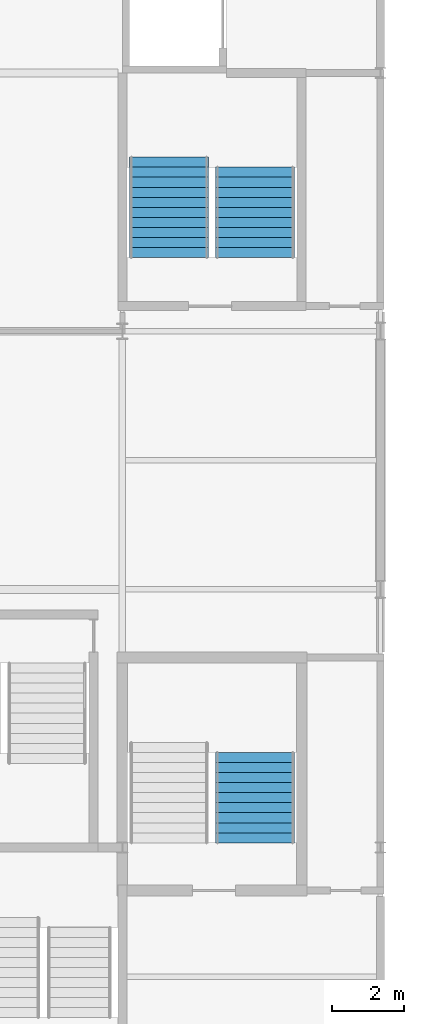
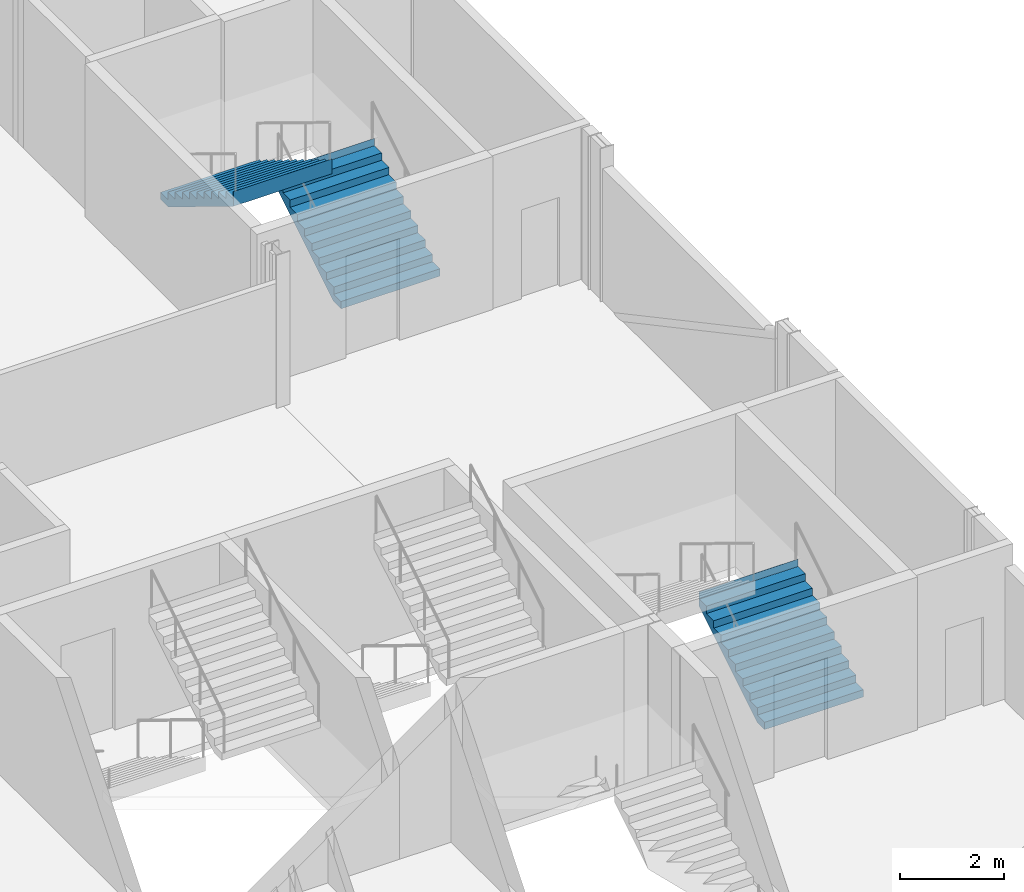
# One storey, part 67 of 90: 3 stair flights, 2 elements without a shape of their own.
"""IFC4 building model written with IfcOpenShell, lengths in metres."""

from ifc_helpers import new_model, si_unit, direction, frame, origin, place, context, subcontext, project, spatial, polyline, outline, extrude, material, type_object, element, aggregate, save


model = new_model("IFC4")

# Units and contexts
model_context = context("Model", 3, precision=1e-05, world=origin(), true_north=direction((0.0, 1.0)))
body_context = subcontext(model_context, "Body", "Model", "MODEL_VIEW")
ifc_project = project(units=[si_unit("LENGTHUNIT", "METRE"), si_unit("AREAUNIT", "SQUARE_METRE"), si_unit("VOLUMEUNIT", "CUBIC_METRE"), si_unit("PLANEANGLEUNIT", "RADIAN"), si_unit("MASSUNIT", "GRAM", prefix="KILO")], contexts=[model_context])

# Site, building, storey
site_placement = place(None, origin())
site = spatial("IfcSite", under=ifc_project, at=site_placement, CompositionType="ELEMENT")
building_placement = place(site_placement, origin())
building = spatial("IfcBuilding", under=site, at=building_placement, Name="Kupolbacken Congress Centre", CompositionType="ELEMENT")
storey_placement = place(building_placement, frame((0.0, 0.0, 3.60009765625)))
storey = spatial("IfcBuildingStorey", under=building, at=storey_placement, Name="L01", CompositionType="ELEMENT", Elevation=3.60009765625)

# Stair, stair flight
ifc_material_1 = material(Name="Concrete C30/37", Category="concrete")
stair_type = type_object("IfcStairType", Name="ST13 stair 2200", PredefinedType="TWO_STRAIGHT_RUN_STAIR", material=ifc_material_1)
stair_1_placement = place(storey_placement, origin())
stair_1 = element("IfcStair", 1, at=stair_1_placement, inside=storey, type_object=stair_type, Name="C/stair/LS1/L01", PredefinedType="NOTDEFINED")
ifc_material_2 = material(Name="Concrete C30/37", Category="concrete")
stair_flight_type_1 = type_object("IfcStairFlightType", Name="FL13 stair flight 2200 x 10 risers", PredefinedType="STRAIGHT", material=ifc_material_2)
stair_flight_1_placement = place(storey_placement, frame((82.89990234375, 50.530029296875, 0.0), z_axis=(0.0, 0.0, 1.0), x_axis=(0.0, 1.0, 0.0)))
stair_flight_1 = element("IfcStairFlight", 2, at=stair_flight_1_placement, type_object=stair_flight_type_1, Name="LS1 flight 1", NumberOfRisers=10, NumberOfTreads=9, PredefinedType="STRAIGHT", RiserHeight=0.171428571, TreadLength=0.28, context=body_context, shape_type="SweptSolid", body=[
    extrude(outline(polyline([(0.0, 0.0), (0.0, 0.0009765625), (0.0, 0.002197265625), (0.0, 0.003173828125), (0.0, 0.004150390625), (0.0, 0.00537109375), (0.0, 0.00634765625), (0.0, 0.007568359375), (0.0, 0.008544921875), (0.0, 0.009521484375), (0.0, 0.0107421875), (0.0, 0.01171875), (0.0, 0.0126953125), (0.0, 0.013916015625), (0.0, 0.014892578125), (0.0, 0.015869140625), (0.0, 0.01708984375), (0.0, 0.01806640625), (0.0, 0.019287109375), (0.0, 0.020263671875), (0.0, 0.021240234375), (0.0, 0.0224609375), (0.0, 0.0234375), (0.0, 0.0244140625), (0.0, 0.025634765625), (0.0, 0.026611328125), (0.0, 0.027587890625), (0.0, 0.02880859375), (0.0, 0.02978515625), (0.0, 0.03076171875), (0.0, 0.031982421875), (0.0, 0.032958984375), (0.0, 0.0341796875), (0.0, 0.03515625), (0.0, 0.0361328125), (0.0, 0.037353515625), (0.0, 0.038330078125), (0.0, 0.039306640625), (0.0, 0.04052734375), (0.0, 0.04150390625), (0.0, 0.04248046875), (0.0, 0.043701171875), (0.0, 0.044677734375), (0.0, 0.0458984375), (0.0, 0.046875), (0.0, 0.0478515625), (0.0, 0.049072265625), (0.0, 0.050048828125), (0.0, 0.051025390625), (0.0, 0.05224609375), (0.0, 0.05322265625), (0.0, 0.05419921875), (0.0, 0.055419921875), (0.0, 0.056396484375), (0.0, 0.0576171875), (0.0, 0.05859375), (0.0, 0.0595703125), (0.0, 0.060791015625), (0.0, 0.061767578125), (0.0, 0.062744140625), (0.0, 0.06396484375), (0.0, 0.06494140625), (0.0, 0.06591796875), (0.0, 0.067138671875), (0.0, 0.068115234375), (0.0, 0.069091796875), (0.0, 0.0703125), (0.0, 0.0712890625), (0.0, 0.072509765625), (0.0, 0.073486328125), (0.0, 0.074462890625), (0.0, 0.07568359375), (0.0, 0.07666015625), (0.0, 0.07763671875), (0.0, 0.078857421875), (0.0, 0.079833984375), (0.0, 0.080810546875), (0.0, 0.08203125), (0.0, 0.0830078125), (0.0, 0.084228515625), (0.0, 0.085205078125), (0.0, 0.086181640625), (0.0, 0.08740234375), (0.0, 0.08837890625), (0.0, 0.08935546875), (0.0, 0.090576171875), (0.0, 0.091552734375), (0.0, 0.092529296875), (0.0, 0.09375), (0.0, 0.0947265625), (0.0, 0.095947265625), (0.0, 0.096923828125), (0.0, 0.097900390625), (0.0, 0.09912109375), (0.0, 0.10009765625), (0.0, 0.10107421875), (0.0, 0.102294921875), (0.0, 0.103271484375), (0.0, 0.104248046875), (0.0, 0.10546875), (0.0, 0.1064453125), (0.0, 0.107421875), (0.0, 0.108642578125), (0.0, 0.109619140625), (0.0, 0.11083984375), (0.0, 0.11181640625), (0.0, 0.11279296875), (0.0, 0.114013671875), (0.0, 0.114990234375), (0.0, 0.115966796875), (0.0, 0.1171875), (0.0, 0.1181640625), (0.0, 0.119140625), (0.0, 0.120361328125), (0.0, 0.121337890625), (0.0, 0.12255859375), (0.0, 0.12353515625), (0.0, 0.12451171875), (0.0, 0.125732421875), (0.0, 0.126708984375), (0.0, 0.127685546875), (0.0, 0.12890625), (0.0, 0.1298828125), (0.0, 0.130859375), (0.0, 0.132080078125), (0.0, 0.133056640625), (0.0, 0.13427734375), (0.0, 0.13525390625), (0.0, 0.13623046875), (0.0, 0.137451171875), (0.0, 0.138427734375), (0.0, 0.139404296875), (0.0, 0.140625), (0.0, 0.1416015625), (0.0, 0.142578125), (0.0, 0.143798828125), (0.0, 0.144775390625), (0.0, 0.145751953125), (0.0, 0.14697265625), (0.0, 0.14794921875), (0.0, 0.149169921875), (0.0, 0.150146484375), (0.0, 0.151123046875), (0.0, 0.15234375), (0.0, 0.1533203125), (0.0, 0.154296875), (0.0, 0.155517578125), (0.0, 0.156494140625), (0.0, 0.157470703125), (0.0, 0.15869140625), (0.0, 0.15966796875), (0.0, 0.160888671875), (0.0, 0.161865234375), (0.0, 0.162841796875), (0.0, 0.1640625), (0.0, 0.1650390625), (0.0, 0.166015625), (0.0, 0.167236328125), (0.0, 0.168212890625), (0.0, 0.169189453125), (0.0, 0.17041015625), (0.0, 0.17138671875), (0.280029296875, 0.17138671875), (0.280029296875, 0.3427734375), (0.56005859375, 0.3427734375), (0.56005859375, 0.514404296875), (0.840087890625, 0.514404296875), (0.840087890625, 0.685791015625), (1.1201171875, 0.685791015625), (1.1201171875, 0.857177734375), (1.39990234375, 0.857177734375), (1.39990234375, 1.028564453125), (1.679931640625, 1.028564453125), (1.679931640625, 1.199951171875), (1.9599609375, 1.199951171875), (1.9599609375, 1.371337890625), (2.239990234375, 1.371337890625), (2.239990234375, 1.54296875), (2.52001953125, 1.54296875), (2.52001953125, 1.71435546875), (2.52197265625, 1.71435546875), (2.52197265625, 1.712158203125), (2.52197265625, 1.7099609375), (2.52197265625, 1.707763671875), (2.52197265625, 1.70556640625), (2.52197265625, 1.70361328125), (2.52197265625, 1.701416015625), (2.52197265625, 1.69921875), (2.52197265625, 1.697021484375), (2.52197265625, 1.69482421875), (2.52197265625, 1.692626953125), (2.52197265625, 1.690673828125), (2.52197265625, 1.6884765625), (2.52197265625, 1.686279296875), (2.52197265625, 1.68408203125), (2.52197265625, 1.681884765625), (2.52197265625, 1.6796875), (2.52197265625, 1.677734375), (2.52197265625, 1.675537109375), (2.52197265625, 1.67333984375), (2.52197265625, 1.671142578125), (2.52197265625, 1.6689453125), (2.52197265625, 1.666748046875), (2.52197265625, 1.664794921875), (2.52197265625, 1.66259765625), (2.52197265625, 1.660400390625), (2.52197265625, 1.658203125), (2.52197265625, 1.656005859375), (2.52197265625, 1.65380859375), (2.52197265625, 1.65185546875), (2.52197265625, 1.649658203125), (2.52197265625, 1.6474609375), (2.52197265625, 1.645263671875), (2.52197265625, 1.64306640625), (2.52197265625, 1.640869140625), (2.52197265625, 1.638916015625), (2.52197265625, 1.63671875), (2.52197265625, 1.634521484375), (2.52197265625, 1.63232421875), (2.52197265625, 1.630126953125), (2.52197265625, 1.6279296875), (2.52197265625, 1.6259765625), (2.52197265625, 1.623779296875), (2.52197265625, 1.62158203125), (2.52197265625, 1.619384765625), (2.52197265625, 1.6171875), (2.52197265625, 1.614990234375), (2.52197265625, 1.613037109375), (2.52197265625, 1.61083984375), (2.52197265625, 1.608642578125), (2.52197265625, 1.6064453125), (2.52197265625, 1.604248046875), (2.52197265625, 1.60205078125), (2.52197265625, 1.60009765625), (2.52197265625, 1.597900390625), (2.52197265625, 1.595703125), (2.52197265625, 1.593505859375), (2.52197265625, 1.59130859375), (2.52197265625, 1.589111328125), (2.52197265625, 1.587158203125), (2.52197265625, 1.5849609375), (2.52197265625, 1.582763671875), (2.52197265625, 1.58056640625), (2.52197265625, 1.578369140625), (2.52197265625, 1.576171875), (2.52197265625, 1.57421875), (2.52197265625, 1.572021484375), (2.52197265625, 1.56982421875), (2.52197265625, 1.567626953125), (2.52197265625, 1.5654296875), (2.52197265625, 1.563232421875), (2.52197265625, 1.561279296875), (2.52197265625, 1.55908203125), (2.52197265625, 1.556884765625), (2.52197265625, 1.5546875), (2.52197265625, 1.552490234375), (2.52197265625, 1.55029296875), (2.52197265625, 1.54833984375), (2.52197265625, 1.546142578125), (2.52197265625, 1.5439453125), (2.52197265625, 1.541748046875), (2.52197265625, 1.53955078125), (2.52197265625, 1.537353515625), (2.52197265625, 1.535400390625), (2.52197265625, 1.533203125), (2.52197265625, 1.531005859375), (2.52197265625, 1.52880859375), (2.52197265625, 1.526611328125), (2.52197265625, 1.5244140625), (2.52197265625, 1.5224609375), (2.52197265625, 1.520263671875), (2.52197265625, 1.51806640625), (2.52197265625, 1.515869140625), (2.52197265625, 1.513671875), (2.52197265625, 1.511474609375), (2.52197265625, 1.509521484375), (2.52197265625, 1.50732421875), (2.52197265625, 1.505126953125), (2.52197265625, 1.5029296875), (2.52197265625, 1.500732421875), (2.52197265625, 1.49853515625), (2.52197265625, 1.49658203125), (2.52197265625, 1.494384765625), (2.52197265625, 1.4921875), (2.52197265625, 1.489990234375), (2.52197265625, 1.48779296875), (2.52197265625, 1.485595703125), (2.52197265625, 1.483642578125), (2.52197265625, 1.4814453125), (2.52197265625, 1.479248046875), (2.52197265625, 1.47705078125), (2.52197265625, 1.474853515625), (2.52197265625, 1.47265625), (2.52197265625, 1.470703125), (2.52197265625, 1.468505859375), (2.52197265625, 1.46630859375), (2.52197265625, 1.464111328125), (2.52197265625, 1.4619140625), (2.52197265625, 1.459716796875), (2.52197265625, 1.457763671875), (2.52197265625, 1.45556640625), (2.52197265625, 1.453369140625), (2.52197265625, 1.451171875), (2.52197265625, 1.448974609375), (2.52197265625, 1.44677734375), (2.52197265625, 1.44482421875), (2.52197265625, 1.442626953125), (2.52197265625, 1.4404296875), (2.52197265625, 1.438232421875), (2.52197265625, 1.43603515625), (2.52197265625, 1.433837890625), (2.52197265625, 1.431884765625), (2.52197265625, 1.4296875), (2.52197265625, 1.427490234375), (2.52197265625, 1.42529296875), (2.52197265625, 1.423095703125), (2.52197265625, 1.4208984375), (2.52197265625, 1.4189453125), (2.52197265625, 1.416748046875), (2.52197265625, 1.41455078125), (2.52197265625, 1.412353515625), (2.52197265625, 1.41015625), (2.52197265625, 1.407958984375), (2.52197265625, 1.406005859375), (2.52197265625, 1.40380859375), (2.52197265625, 1.401611328125), (2.52197265625, 1.3994140625), (2.52197265625, 1.397216796875), (2.52197265625, 1.39501953125), (2.52197265625, 1.39306640625), (2.52197265625, 1.390869140625), (2.52197265625, 1.388671875), (2.52197265625, 1.386474609375), (2.52197265625, 1.38427734375), (2.52197265625, 1.382080078125), (2.52197265625, 1.380126953125), (2.52197265625, 1.3779296875), (2.52197265625, 1.375732421875), (2.52197265625, 1.37353515625), (2.52197265625, 1.371337890625), (2.52197265625, 1.369140625), (2.52197265625, 1.3671875), (0.2890625, 0.0), (0.0, 0.0)])), frame((0.0, 1.10009765625, 0.0), z_axis=(0.0, -1.0, 0.0), x_axis=(1.0, 0.0, 0.0)), (0.0, 0.0, 1.0), 2.199951171875),
])
aggregate(stair_1, [stair_flight_1])

# Stair, stair flights
stair_2_placement = place(storey_placement, origin())
stair_2 = element("IfcStair", 3, at=stair_2_placement, inside=storey, type_object=stair_type, Name="C/stair/LS3/L01", PredefinedType="NOTDEFINED")
stair_flight_2_placement = place(storey_placement, frame((82.89990234375, 66.85498046875, 0.0), z_axis=(0.0, 0.0, 1.0), x_axis=(0.0, 1.0, 0.0)))
stair_flight_2 = element("IfcStairFlight", 4, at=stair_flight_2_placement, type_object=stair_flight_type_1, Name="LS3 flight 1", NumberOfRisers=10, NumberOfTreads=9, PredefinedType="STRAIGHT", RiserHeight=0.171428571, TreadLength=0.28, context=body_context, shape_type="SweptSolid", body=[
    extrude(outline(polyline([(0.0, 0.0), (0.0, 0.0009765625), (0.0, 0.002197265625), (0.0, 0.003173828125), (0.0, 0.004150390625), (0.0, 0.00537109375), (0.0, 0.00634765625), (0.0, 0.007568359375), (0.0, 0.008544921875), (0.0, 0.009521484375), (0.0, 0.0107421875), (0.0, 0.01171875), (0.0, 0.0126953125), (0.0, 0.013916015625), (0.0, 0.014892578125), (0.0, 0.015869140625), (0.0, 0.01708984375), (0.0, 0.01806640625), (0.0, 0.019287109375), (0.0, 0.020263671875), (0.0, 0.021240234375), (0.0, 0.0224609375), (0.0, 0.0234375), (0.0, 0.0244140625), (0.0, 0.025634765625), (0.0, 0.026611328125), (0.0, 0.027587890625), (0.0, 0.02880859375), (0.0, 0.02978515625), (0.0, 0.03076171875), (0.0, 0.031982421875), (0.0, 0.032958984375), (0.0, 0.0341796875), (0.0, 0.03515625), (0.0, 0.0361328125), (0.0, 0.037353515625), (0.0, 0.038330078125), (0.0, 0.039306640625), (0.0, 0.04052734375), (0.0, 0.04150390625), (0.0, 0.04248046875), (0.0, 0.043701171875), (0.0, 0.044677734375), (0.0, 0.0458984375), (0.0, 0.046875), (0.0, 0.0478515625), (0.0, 0.049072265625), (0.0, 0.050048828125), (0.0, 0.051025390625), (0.0, 0.05224609375), (0.0, 0.05322265625), (0.0, 0.05419921875), (0.0, 0.055419921875), (0.0, 0.056396484375), (0.0, 0.0576171875), (0.0, 0.05859375), (0.0, 0.0595703125), (0.0, 0.060791015625), (0.0, 0.061767578125), (0.0, 0.062744140625), (0.0, 0.06396484375), (0.0, 0.06494140625), (0.0, 0.06591796875), (0.0, 0.067138671875), (0.0, 0.068115234375), (0.0, 0.069091796875), (0.0, 0.0703125), (0.0, 0.0712890625), (0.0, 0.072509765625), (0.0, 0.073486328125), (0.0, 0.074462890625), (0.0, 0.07568359375), (0.0, 0.07666015625), (0.0, 0.07763671875), (0.0, 0.078857421875), (0.0, 0.079833984375), (0.0, 0.080810546875), (0.0, 0.08203125), (0.0, 0.0830078125), (0.0, 0.084228515625), (0.0, 0.085205078125), (0.0, 0.086181640625), (0.0, 0.08740234375), (0.0, 0.08837890625), (0.0, 0.08935546875), (0.0, 0.090576171875), (0.0, 0.091552734375), (0.0, 0.092529296875), (0.0, 0.09375), (0.0, 0.0947265625), (0.0, 0.095947265625), (0.0, 0.096923828125), (0.0, 0.097900390625), (0.0, 0.09912109375), (0.0, 0.10009765625), (0.0, 0.10107421875), (0.0, 0.102294921875), (0.0, 0.103271484375), (0.0, 0.104248046875), (0.0, 0.10546875), (0.0, 0.1064453125), (0.0, 0.107421875), (0.0, 0.108642578125), (0.0, 0.109619140625), (0.0, 0.11083984375), (0.0, 0.11181640625), (0.0, 0.11279296875), (0.0, 0.114013671875), (0.0, 0.114990234375), (0.0, 0.115966796875), (0.0, 0.1171875), (0.0, 0.1181640625), (0.0, 0.119140625), (0.0, 0.120361328125), (0.0, 0.121337890625), (0.0, 0.12255859375), (0.0, 0.12353515625), (0.0, 0.12451171875), (0.0, 0.125732421875), (0.0, 0.126708984375), (0.0, 0.127685546875), (0.0, 0.12890625), (0.0, 0.1298828125), (0.0, 0.130859375), (0.0, 0.132080078125), (0.0, 0.133056640625), (0.0, 0.13427734375), (0.0, 0.13525390625), (0.0, 0.13623046875), (0.0, 0.137451171875), (0.0, 0.138427734375), (0.0, 0.139404296875), (0.0, 0.140625), (0.0, 0.1416015625), (0.0, 0.142578125), (0.0, 0.143798828125), (0.0, 0.144775390625), (0.0, 0.145751953125), (0.0, 0.14697265625), (0.0, 0.14794921875), (0.0, 0.149169921875), (0.0, 0.150146484375), (0.0, 0.151123046875), (0.0, 0.15234375), (0.0, 0.1533203125), (0.0, 0.154296875), (0.0, 0.155517578125), (0.0, 0.156494140625), (0.0, 0.157470703125), (0.0, 0.15869140625), (0.0, 0.15966796875), (0.0, 0.160888671875), (0.0, 0.161865234375), (0.0, 0.162841796875), (0.0, 0.1640625), (0.0, 0.1650390625), (0.0, 0.166015625), (0.0, 0.167236328125), (0.0, 0.168212890625), (0.0, 0.169189453125), (0.0, 0.17041015625), (0.0, 0.17138671875), (0.280029296875, 0.17138671875), (0.280029296875, 0.3427734375), (0.56005859375, 0.3427734375), (0.56005859375, 0.514404296875), (0.840087890625, 0.514404296875), (0.840087890625, 0.685791015625), (1.1201171875, 0.685791015625), (1.1201171875, 0.857177734375), (1.39990234375, 0.857177734375), (1.39990234375, 1.028564453125), (1.679931640625, 1.028564453125), (1.679931640625, 1.199951171875), (1.9599609375, 1.199951171875), (1.9599609375, 1.371337890625), (2.239990234375, 1.371337890625), (2.239990234375, 1.54296875), (2.52001953125, 1.54296875), (2.52001953125, 1.71435546875), (2.52197265625, 1.71435546875), (2.52197265625, 1.712158203125), (2.52197265625, 1.7099609375), (2.52197265625, 1.707763671875), (2.52197265625, 1.70556640625), (2.52197265625, 1.70361328125), (2.52197265625, 1.701416015625), (2.52197265625, 1.69921875), (2.52197265625, 1.697021484375), (2.52197265625, 1.69482421875), (2.52197265625, 1.692626953125), (2.52197265625, 1.690673828125), (2.52197265625, 1.6884765625), (2.52197265625, 1.686279296875), (2.52197265625, 1.68408203125), (2.52197265625, 1.681884765625), (2.52197265625, 1.6796875), (2.52197265625, 1.677734375), (2.52197265625, 1.675537109375), (2.52197265625, 1.67333984375), (2.52197265625, 1.671142578125), (2.52197265625, 1.6689453125), (2.52197265625, 1.666748046875), (2.52197265625, 1.664794921875), (2.52197265625, 1.66259765625), (2.52197265625, 1.660400390625), (2.52197265625, 1.658203125), (2.52197265625, 1.656005859375), (2.52197265625, 1.65380859375), (2.52197265625, 1.65185546875), (2.52197265625, 1.649658203125), (2.52197265625, 1.6474609375), (2.52197265625, 1.645263671875), (2.52197265625, 1.64306640625), (2.52197265625, 1.640869140625), (2.52197265625, 1.638916015625), (2.52197265625, 1.63671875), (2.52197265625, 1.634521484375), (2.52197265625, 1.63232421875), (2.52197265625, 1.630126953125), (2.52197265625, 1.6279296875), (2.52197265625, 1.6259765625), (2.52197265625, 1.623779296875), (2.52197265625, 1.62158203125), (2.52197265625, 1.619384765625), (2.52197265625, 1.6171875), (2.52197265625, 1.614990234375), (2.52197265625, 1.613037109375), (2.52197265625, 1.61083984375), (2.52197265625, 1.608642578125), (2.52197265625, 1.6064453125), (2.52197265625, 1.604248046875), (2.52197265625, 1.60205078125), (2.52197265625, 1.60009765625), (2.52197265625, 1.597900390625), (2.52197265625, 1.595703125), (2.52197265625, 1.593505859375), (2.52197265625, 1.59130859375), (2.52197265625, 1.589111328125), (2.52197265625, 1.587158203125), (2.52197265625, 1.5849609375), (2.52197265625, 1.582763671875), (2.52197265625, 1.58056640625), (2.52197265625, 1.578369140625), (2.52197265625, 1.576171875), (2.52197265625, 1.57421875), (2.52197265625, 1.572021484375), (2.52197265625, 1.56982421875), (2.52197265625, 1.567626953125), (2.52197265625, 1.5654296875), (2.52197265625, 1.563232421875), (2.52197265625, 1.561279296875), (2.52197265625, 1.55908203125), (2.52197265625, 1.556884765625), (2.52197265625, 1.5546875), (2.52197265625, 1.552490234375), (2.52197265625, 1.55029296875), (2.52197265625, 1.54833984375), (2.52197265625, 1.546142578125), (2.52197265625, 1.5439453125), (2.52197265625, 1.541748046875), (2.52197265625, 1.53955078125), (2.52197265625, 1.537353515625), (2.52197265625, 1.535400390625), (2.52197265625, 1.533203125), (2.52197265625, 1.531005859375), (2.52197265625, 1.52880859375), (2.52197265625, 1.526611328125), (2.52197265625, 1.5244140625), (2.52197265625, 1.5224609375), (2.52197265625, 1.520263671875), (2.52197265625, 1.51806640625), (2.52197265625, 1.515869140625), (2.52197265625, 1.513671875), (2.52197265625, 1.511474609375), (2.52197265625, 1.509521484375), (2.52197265625, 1.50732421875), (2.52197265625, 1.505126953125), (2.52197265625, 1.5029296875), (2.52197265625, 1.500732421875), (2.52197265625, 1.49853515625), (2.52197265625, 1.49658203125), (2.52197265625, 1.494384765625), (2.52197265625, 1.4921875), (2.52197265625, 1.489990234375), (2.52197265625, 1.48779296875), (2.52197265625, 1.485595703125), (2.52197265625, 1.483642578125), (2.52197265625, 1.4814453125), (2.52197265625, 1.479248046875), (2.52197265625, 1.47705078125), (2.52197265625, 1.474853515625), (2.52197265625, 1.47265625), (2.52197265625, 1.470703125), (2.52197265625, 1.468505859375), (2.52197265625, 1.46630859375), (2.52197265625, 1.464111328125), (2.52197265625, 1.4619140625), (2.52197265625, 1.459716796875), (2.52197265625, 1.457763671875), (2.52197265625, 1.45556640625), (2.52197265625, 1.453369140625), (2.52197265625, 1.451171875), (2.52197265625, 1.448974609375), (2.52197265625, 1.44677734375), (2.52197265625, 1.44482421875), (2.52197265625, 1.442626953125), (2.52197265625, 1.4404296875), (2.52197265625, 1.438232421875), (2.52197265625, 1.43603515625), (2.52197265625, 1.433837890625), (2.52197265625, 1.431884765625), (2.52197265625, 1.4296875), (2.52197265625, 1.427490234375), (2.52197265625, 1.42529296875), (2.52197265625, 1.423095703125), (2.52197265625, 1.4208984375), (2.52197265625, 1.4189453125), (2.52197265625, 1.416748046875), (2.52197265625, 1.41455078125), (2.52197265625, 1.412353515625), (2.52197265625, 1.41015625), (2.52197265625, 1.407958984375), (2.52197265625, 1.406005859375), (2.52197265625, 1.40380859375), (2.52197265625, 1.401611328125), (2.52197265625, 1.3994140625), (2.52197265625, 1.397216796875), (2.52197265625, 1.39501953125), (2.52197265625, 1.39306640625), (2.52197265625, 1.390869140625), (2.52197265625, 1.388671875), (2.52197265625, 1.386474609375), (2.52197265625, 1.38427734375), (2.52197265625, 1.382080078125), (2.52197265625, 1.380126953125), (2.52197265625, 1.3779296875), (2.52197265625, 1.375732421875), (2.52197265625, 1.37353515625), (2.52197265625, 1.371337890625), (2.52197265625, 1.369140625), (2.52197265625, 1.3671875), (0.2890625, 0.0), (0.0, 0.0)])), frame((0.0, 1.10009765625, 0.0), z_axis=(0.0, -1.0, 0.0), x_axis=(1.0, 0.0, 0.0)), (0.0, 0.0, 1.0), 2.199951171875),
])
ifc_material_3 = material(Name="Concrete C30/37", Category="concrete")
stair_flight_type_2 = type_object("IfcStairFlightType", Name="FL14 stair flight 2200 x 11 risers", PredefinedType="STRAIGHT", material=ifc_material_3)
stair_flight_3_placement = place(storey_placement, frame((80.5, 69.655029296875, 1.714111328125), z_axis=(0.0, 0.0, 1.0), x_axis=(0.0, -1.0, 0.0)))
stair_flight_3 = element("IfcStairFlight", 5, at=stair_flight_3_placement, type_object=stair_flight_type_2, Name="LS3 flight 2", NumberOfRisers=11, NumberOfTreads=10, PredefinedType="STRAIGHT", RiserHeight=0.171428571, TreadLength=0.28, context=body_context, shape_type="SweptSolid", body=[
    extrude(outline(polyline([(0.0, 0.0), (0.0, 0.0009765625), (0.0, 0.002197265625), (0.0, 0.003173828125), (0.0, 0.004150390625), (0.0, 0.00537109375), (0.0, 0.00634765625), (0.0, 0.007568359375), (0.0, 0.008544921875), (0.0, 0.009521484375), (0.0, 0.0107421875), (0.0, 0.01171875), (0.0, 0.0126953125), (0.0, 0.013916015625), (0.0, 0.014892578125), (0.0, 0.015869140625), (0.0, 0.01708984375), (0.0, 0.01806640625), (0.0, 0.019287109375), (0.0, 0.020263671875), (0.0, 0.021240234375), (0.0, 0.0224609375), (0.0, 0.0234375), (0.0, 0.0244140625), (0.0, 0.025634765625), (0.0, 0.026611328125), (0.0, 0.027587890625), (0.0, 0.02880859375), (0.0, 0.02978515625), (0.0, 0.03076171875), (0.0, 0.031982421875), (0.0, 0.032958984375), (0.0, 0.0341796875), (0.0, 0.03515625), (0.0, 0.0361328125), (0.0, 0.037353515625), (0.0, 0.038330078125), (0.0, 0.039306640625), (0.0, 0.04052734375), (0.0, 0.04150390625), (0.0, 0.04248046875), (0.0, 0.043701171875), (0.0, 0.044677734375), (0.0, 0.0458984375), (0.0, 0.046875), (0.0, 0.0478515625), (0.0, 0.049072265625), (0.0, 0.050048828125), (0.0, 0.051025390625), (0.0, 0.05224609375), (0.0, 0.05322265625), (0.0, 0.05419921875), (0.0, 0.055419921875), (0.0, 0.056396484375), (0.0, 0.0576171875), (0.0, 0.05859375), (0.0, 0.0595703125), (0.0, 0.060791015625), (0.0, 0.061767578125), (0.0, 0.062744140625), (0.0, 0.06396484375), (0.0, 0.06494140625), (0.0, 0.06591796875), (0.0, 0.067138671875), (0.0, 0.068115234375), (0.0, 0.069091796875), (0.0, 0.0703125), (0.0, 0.0712890625), (0.0, 0.072509765625), (0.0, 0.073486328125), (0.0, 0.074462890625), (0.0, 0.07568359375), (0.0, 0.07666015625), (0.0, 0.07763671875), (0.0, 0.078857421875), (0.0, 0.079833984375), (0.0, 0.080810546875), (0.0, 0.08203125), (0.0, 0.0830078125), (0.0, 0.084228515625), (0.0, 0.085205078125), (0.0, 0.086181640625), (0.0, 0.08740234375), (0.0, 0.08837890625), (0.0, 0.08935546875), (0.0, 0.090576171875), (0.0, 0.091552734375), (0.0, 0.092529296875), (0.0, 0.09375), (0.0, 0.0947265625), (0.0, 0.095947265625), (0.0, 0.096923828125), (0.0, 0.097900390625), (0.0, 0.09912109375), (0.0, 0.10009765625), (0.0, 0.10107421875), (0.0, 0.102294921875), (0.0, 0.103271484375), (0.0, 0.104248046875), (0.0, 0.10546875), (0.0, 0.1064453125), (0.0, 0.107421875), (0.0, 0.108642578125), (0.0, 0.109619140625), (0.0, 0.11083984375), (0.0, 0.11181640625), (0.0, 0.11279296875), (0.0, 0.114013671875), (0.0, 0.114990234375), (0.0, 0.115966796875), (0.0, 0.1171875), (0.0, 0.1181640625), (0.0, 0.119140625), (0.0, 0.120361328125), (0.0, 0.121337890625), (0.0, 0.12255859375), (0.0, 0.12353515625), (0.0, 0.12451171875), (0.0, 0.125732421875), (0.0, 0.126708984375), (0.0, 0.127685546875), (0.0, 0.12890625), (0.0, 0.1298828125), (0.0, 0.130859375), (0.0, 0.132080078125), (0.0, 0.133056640625), (0.0, 0.13427734375), (0.0, 0.13525390625), (0.0, 0.13623046875), (0.0, 0.137451171875), (0.0, 0.138427734375), (0.0, 0.139404296875), (0.0, 0.140625), (0.0, 0.1416015625), (0.0, 0.142578125), (0.0, 0.143798828125), (0.0, 0.144775390625), (0.0, 0.145751953125), (0.0, 0.14697265625), (0.0, 0.14794921875), (0.0, 0.149169921875), (0.0, 0.150146484375), (0.0, 0.151123046875), (0.0, 0.15234375), (0.0, 0.1533203125), (0.0, 0.154296875), (0.0, 0.155517578125), (0.0, 0.156494140625), (0.0, 0.157470703125), (0.0, 0.15869140625), (0.0, 0.15966796875), (0.0, 0.160888671875), (0.0, 0.161865234375), (0.0, 0.162841796875), (0.0, 0.1640625), (0.0, 0.1650390625), (0.0, 0.166015625), (0.0, 0.167236328125), (0.0, 0.168212890625), (0.0, 0.169189453125), (0.0, 0.17041015625), (0.0, 0.17138671875), (0.280029296875, 0.17138671875), (0.280029296875, 0.3427734375), (0.56005859375, 0.3427734375), (0.56005859375, 0.514404296875), (0.840087890625, 0.514404296875), (0.840087890625, 0.685791015625), (1.1201171875, 0.685791015625), (1.1201171875, 0.857177734375), (1.39990234375, 0.857177734375), (1.39990234375, 1.028564453125), (1.679931640625, 1.028564453125), (1.679931640625, 1.199951171875), (1.9599609375, 1.199951171875), (1.9599609375, 1.371337890625), (2.239990234375, 1.371337890625), (2.239990234375, 1.54296875), (2.52001953125, 1.54296875), (2.52001953125, 1.71435546875), (2.800048828125, 1.71435546875), (2.800048828125, 1.8857421875), (2.802001953125, 1.8857421875), (2.802001953125, 1.883544921875), (2.802001953125, 1.88134765625), (2.802001953125, 1.879150390625), (2.802001953125, 1.877197265625), (2.802001953125, 1.875), (2.802001953125, 1.872802734375), (2.802001953125, 1.87060546875), (2.802001953125, 1.868408203125), (2.802001953125, 1.8662109375), (2.802001953125, 1.8642578125), (2.802001953125, 1.862060546875), (2.802001953125, 1.85986328125), (2.802001953125, 1.857666015625), (2.802001953125, 1.85546875), (2.802001953125, 1.853271484375), (2.802001953125, 1.851318359375), (2.802001953125, 1.84912109375), (2.802001953125, 1.846923828125), (2.802001953125, 1.8447265625), (2.802001953125, 1.842529296875), (2.802001953125, 1.84033203125), (2.802001953125, 1.83837890625), (2.802001953125, 1.836181640625), (2.802001953125, 1.833984375), (2.802001953125, 1.831787109375), (2.802001953125, 1.82958984375), (2.802001953125, 1.827392578125), (2.802001953125, 1.825439453125), (2.802001953125, 1.8232421875), (2.802001953125, 1.821044921875), (2.802001953125, 1.81884765625), (2.802001953125, 1.816650390625), (2.802001953125, 1.814453125), (2.802001953125, 1.8125), (2.802001953125, 1.810302734375), (2.802001953125, 1.80810546875), (2.802001953125, 1.805908203125), (2.802001953125, 1.8037109375), (2.802001953125, 1.801513671875), (2.802001953125, 1.799560546875), (2.802001953125, 1.79736328125), (2.802001953125, 1.795166015625), (2.802001953125, 1.79296875), (2.802001953125, 1.790771484375), (2.802001953125, 1.78857421875), (2.802001953125, 1.78662109375), (2.802001953125, 1.784423828125), (2.802001953125, 1.7822265625), (2.802001953125, 1.780029296875), (2.802001953125, 1.77783203125), (2.802001953125, 1.775634765625), (2.802001953125, 1.773681640625), (2.802001953125, 1.771484375), (2.802001953125, 1.769287109375), (2.802001953125, 1.76708984375), (2.802001953125, 1.764892578125), (2.802001953125, 1.7626953125), (2.802001953125, 1.7607421875), (2.802001953125, 1.758544921875), (2.802001953125, 1.75634765625), (2.802001953125, 1.754150390625), (2.802001953125, 1.751953125), (2.802001953125, 1.749755859375), (2.802001953125, 1.747802734375), (2.802001953125, 1.74560546875), (2.802001953125, 1.743408203125), (2.802001953125, 1.7412109375), (2.802001953125, 1.739013671875), (2.802001953125, 1.73681640625), (2.802001953125, 1.73486328125), (2.802001953125, 1.732666015625), (2.802001953125, 1.73046875), (2.802001953125, 1.728271484375), (2.802001953125, 1.72607421875), (2.802001953125, 1.723876953125), (2.802001953125, 1.721923828125), (2.802001953125, 1.7197265625), (2.802001953125, 1.717529296875), (2.802001953125, 1.71533203125), (2.802001953125, 1.713134765625), (2.802001953125, 1.7109375), (2.802001953125, 1.708984375), (2.802001953125, 1.706787109375), (2.802001953125, 1.70458984375), (2.802001953125, 1.702392578125), (2.802001953125, 1.7001953125), (2.802001953125, 1.697998046875), (2.802001953125, 1.696044921875), (2.802001953125, 1.69384765625), (2.802001953125, 1.691650390625), (2.802001953125, 1.689453125), (2.802001953125, 1.687255859375), (2.802001953125, 1.68505859375), (2.802001953125, 1.68310546875), (2.802001953125, 1.680908203125), (2.802001953125, 1.6787109375), (2.802001953125, 1.676513671875), (2.802001953125, 1.67431640625), (2.802001953125, 1.672119140625), (2.802001953125, 1.670166015625), (2.802001953125, 1.66796875), (2.802001953125, 1.665771484375), (2.802001953125, 1.66357421875), (2.802001953125, 1.661376953125), (2.802001953125, 1.6591796875), (2.802001953125, 1.6572265625), (2.802001953125, 1.655029296875), (2.802001953125, 1.65283203125), (2.802001953125, 1.650634765625), (2.802001953125, 1.6484375), (2.802001953125, 1.646240234375), (2.802001953125, 1.644287109375), (2.802001953125, 1.64208984375), (2.802001953125, 1.639892578125), (2.802001953125, 1.6376953125), (2.802001953125, 1.635498046875), (2.802001953125, 1.63330078125), (2.802001953125, 1.63134765625), (2.802001953125, 1.629150390625), (2.802001953125, 1.626953125), (2.802001953125, 1.624755859375), (2.802001953125, 1.62255859375), (2.802001953125, 1.620361328125), (2.802001953125, 1.618408203125), (2.802001953125, 1.6162109375), (2.802001953125, 1.614013671875), (2.802001953125, 1.61181640625), (2.802001953125, 1.609619140625), (2.802001953125, 1.607421875), (2.802001953125, 1.60546875), (2.802001953125, 1.603271484375), (2.802001953125, 1.60107421875), (2.802001953125, 1.598876953125), (2.802001953125, 1.5966796875), (2.802001953125, 1.594482421875), (2.802001953125, 1.592529296875), (2.802001953125, 1.59033203125), (2.802001953125, 1.588134765625), (2.802001953125, 1.5859375), (2.802001953125, 1.583740234375), (2.802001953125, 1.58154296875), (2.802001953125, 1.57958984375), (2.802001953125, 1.577392578125), (2.802001953125, 1.5751953125), (2.802001953125, 1.572998046875), (2.802001953125, 1.57080078125), (2.802001953125, 1.568603515625), (2.802001953125, 1.566650390625), (2.802001953125, 1.564453125), (2.802001953125, 1.562255859375), (2.802001953125, 1.56005859375), (2.802001953125, 1.557861328125), (2.802001953125, 1.5556640625), (2.802001953125, 1.5537109375), (2.802001953125, 1.551513671875), (2.802001953125, 1.54931640625), (2.802001953125, 1.547119140625), (2.802001953125, 1.544921875), (2.802001953125, 1.542724609375), (2.802001953125, 1.540771484375), (2.802001953125, 1.53857421875), (0.2890625, 0.0), (0.0, 0.0)])), frame((0.0, 1.10009765625, 0.0), z_axis=(0.0, -1.0, 0.0), x_axis=(1.0, 0.0, 0.0)), (0.0, 0.0, 1.0), 2.199951171875),
])
aggregate(stair_2, [stair_flight_2, stair_flight_3])

save(model, "model.ifc")
